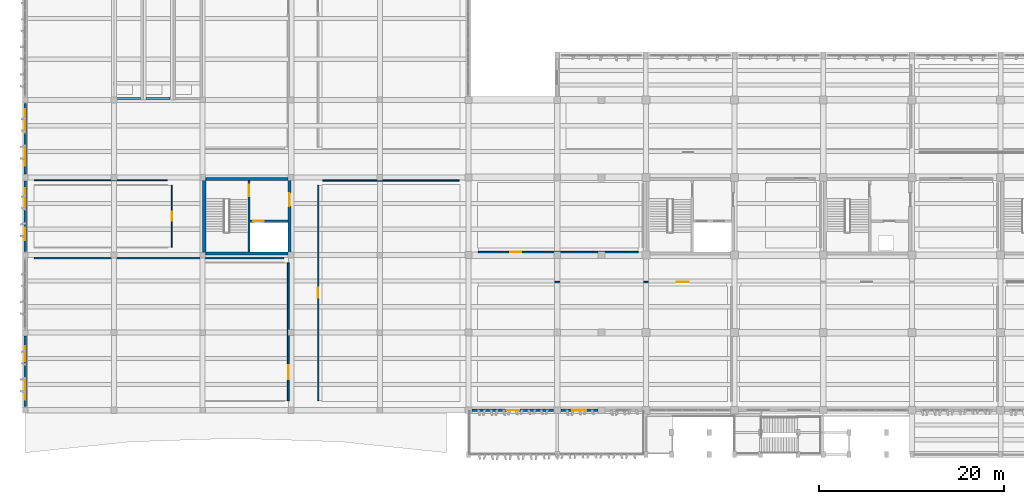
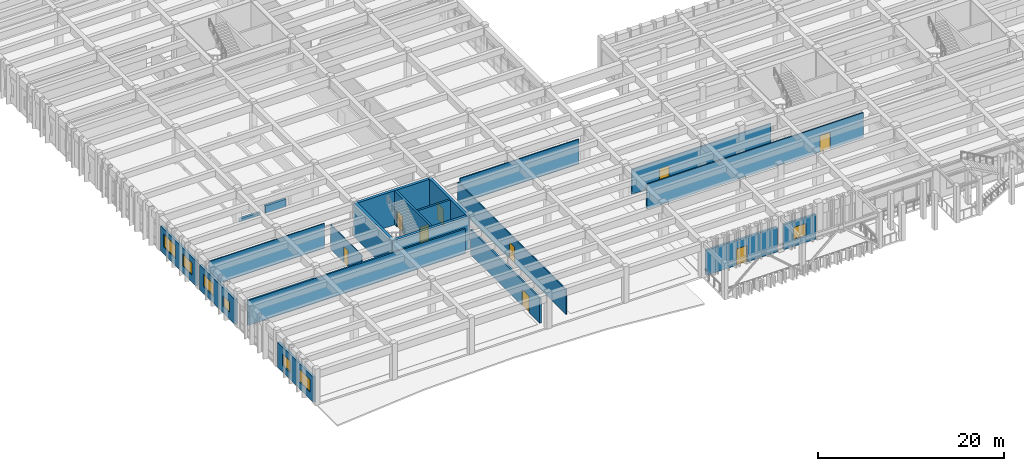
# One storey, part 64 of 86: 21 walls, 9 doors, 7 windows, 16 openings.
"""IFC4 building model written with IfcOpenShell, lengths in metres."""

from ifc_helpers import new_model, si_unit, direction, frame, frame_2d, origin, place, context, subcontext, project, spatial, rectangle, extrude, material, layer, layer_set, type_object, element, fill, save


model = new_model("IFC4")

# Units and contexts
model_context = context("Model", 3, precision=1e-05, world=origin(), true_north=direction((0.0, 1.0)))
body_context = subcontext(model_context, "Body", "Model", "MODEL_VIEW")
ifc_project = project(units=[si_unit("LENGTHUNIT", "METRE"), si_unit("AREAUNIT", "SQUARE_METRE"), si_unit("VOLUMEUNIT", "CUBIC_METRE"), si_unit("PLANEANGLEUNIT", "RADIAN"), si_unit("MASSUNIT", "GRAM", prefix="KILO")], contexts=[model_context])

# Site, building, storey
site_placement = place(None, origin())
site = spatial("IfcSite", under=ifc_project, at=site_placement, CompositionType="ELEMENT")
building_placement = place(site_placement, origin())
building = spatial("IfcBuilding", under=site, at=building_placement, Name="Kolvemor Railside Polytechnic", CompositionType="ELEMENT")
storey_placement = place(building_placement, frame((0.0, 0.0, 5.39990234375)))
storey = spatial("IfcBuildingStorey", under=building, at=storey_placement, Name="L01", CompositionType="ELEMENT", Elevation=5.39990234375)

# Walls
ifc_material_1 = material(Name="Concrete C40/50", Category="concrete")
ifc_layer_1 = layer(ifc_material_1, 0.35009765625, Name="WL-CORE-350")
ifc_layer_set_1 = layer_set([ifc_layer_1], Name="Concrete C40/50")
wall_type_1 = type_object("IfcWallType", Name="WL-CORE-350", PredefinedType="SHEAR", material=ifc_layer_set_1)
for number, where, z_axis, x_axis, name in (
    (1, (19.199951171875, 29.824951171875, 0.0), (0.0, 0.0, 1.0), (1.0, 0.0, 0.0), "CORE-4 North Core Wall L01"),
    (2, (19.199951171875, 21.77490234375, 0.0), (0.0, 0.0, 1.0), (1.0, 0.0, 0.0), "CORE-4 South Core Wall L01"),
):
    element("IfcWall", number, at=place(storey_placement, frame(where, z_axis=z_axis, x_axis=x_axis)), inside=storey, type_object=wall_type_1, Name=name, PredefinedType="SHEAR", context=body_context, shape_type="SweptSolid", body=[
        extrude(rectangle(XDim=9.60009765625, YDim=0.35009765625, at=frame_2d((4.800048828125, 0.0))), origin(), (0.0, 0.0, 1.0), 4.47998046875),
    ])
wall_1_placement = place(storey_placement, frame((19.375, 21.60009765625, 0.0), z_axis=(0.0, 0.0, 1.0), x_axis=(0.0, 1.0, 0.0)))
element("IfcWall", 3, at=wall_1_placement, inside=storey, type_object=wall_type_1, Name="CORE-4 West Core Wall L01", PredefinedType="SHEAR", context=body_context, shape_type="SweptSolid", body=[
    extrude(rectangle(XDim=8.39990234375, YDim=0.35009765625, at=frame_2d((4.199951171875, 0.0))), origin(), (0.0, 0.0, 1.0), 4.47998046875),
])

# Wall, opening, door
wall_2_placement = place(storey_placement, frame((28.625, 21.60009765625, 0.0), z_axis=(0.0, 0.0, 1.0), x_axis=(0.0, 1.0, 0.0)))
wall_2 = element("IfcWall", 4, at=wall_2_placement, inside=storey, type_object=wall_type_1, Name="CORE-4 East Core Wall L01", PredefinedType="SHEAR", context=body_context, shape_type="SweptSolid", body=[
    extrude(rectangle(XDim=8.39990234375, YDim=0.35009765625, at=frame_2d((4.199951171875, 0.0))), origin(), (0.0, 0.0, 1.0), 4.47998046875),
])
opening_1_placement = place(wall_2_placement, frame((5.300048828125, 0.0, 0.0)))
opening_1 = element("IfcOpeningElement", 5, at=opening_1_placement, cuts=wall_2, Name="Opening D-LOB-4-L01", PredefinedType="OPENING", context=body_context, shape_type="SweptSolid", body=[
    extrude(rectangle(XDim=1.39990234375, YDim=2.14990234375, at=frame_2d((0.699951171875, 1.074951171875))), frame((0.0, 0.18505859375, 0.0), z_axis=(0.0, -1.0, 0.0), x_axis=(1.0, 0.0, 0.0)), (0.0, 0.0, 1.0), 0.3701171875),
])
ifc_material_2 = material(Name="Fire-rated hardwood and brushed stainless-steel door", Category="steel")
door_type_1 = type_object("IfcDoorType", Name="DR-FD60-140x215", OperationType="NOTDEFINED", PredefinedType="DOOR", material=ifc_material_2)
door_1_placement = place(opening_1_placement, origin())
door_1 = element("IfcDoor", 6, at=door_1_placement, inside=storey, type_object=door_type_1, Name="Core Lobby Fire Door CORE-4 L01", OperationType="SINGLE_SWING_RIGHT", OverallHeight=2.14990234375, OverallWidth=1.39990234375, PredefinedType="DOOR", context=body_context, shape_type="SweptSolid", body=[
    extrude(rectangle(XDim=1.39990234375, YDim=2.14990234375, at=frame_2d((0.699951171875, 1.074951171875))), frame((0.0, 0.02490234375, 0.0), z_axis=(0.0, -1.0, 0.0), x_axis=(1.0, 0.0, 0.0)), (0.0, 0.0, 1.0), 0.050048828125),
])
fill(opening_1, door_1)

ifc_material_3 = material(Name="Precast concrete C40/50", Category="concrete")
ifc_layer_2 = layer(ifc_material_3, 0.27001953125, Name="WL-EXT-RC-270")
ifc_layer_set_2 = layer_set([ifc_layer_2], Name="Precast concrete C40/50")
wall_type_2 = type_object("IfcWallType", Name="WL-EXT-RC-270", PredefinedType="SOLIDWALL", material=ifc_layer_set_2)
wall_3_placement = place(storey_placement, frame((48.3798828125, 4.800048828125, 0.0), z_axis=(0.0, 0.0, 1.0), x_axis=(1.0, 0.0, 0.0)))
wall_3 = element("IfcWall", 7, at=wall_3_placement, inside=storey, type_object=wall_type_2, Name="Exterior Wall L01-0114", PredefinedType="SOLIDWALL", context=body_context, shape_type="SweptSolid", body=[
    extrude(rectangle(XDim=8.840087890625, YDim=0.27001953125, at=frame_2d((4.419921875, 0.0))), origin(), (0.0, 0.0, 1.0), 3.280029296875),
])
opening_2_placement = place(wall_3_placement, frame((3.7451171875, 0.0, 0.0)))
opening_2 = element("IfcOpeningElement", 8, at=opening_2_placement, cuts=wall_3, Name="Opening D-TER-L01SWP", PredefinedType="OPENING", context=body_context, shape_type="SweptSolid", body=[
    extrude(rectangle(XDim=1.35009765625, YDim=2.14990234375, at=frame_2d((0.675048828125, 1.074951171875))), frame((0.0, 0.14501953125, 0.0), z_axis=(0.0, -1.0, 0.0), x_axis=(1.0, 0.0, 0.0)), (0.0, 0.0, 1.0), 0.2900390625),
])
ifc_material_4 = material(Name="Marine-grade thermally broken aluminium and laminated glass door", Category="aluminium")
door_type_2 = type_object("IfcDoorType", Name="DR-TER-135x215", OperationType="NOTDEFINED", PredefinedType="DOOR", material=ifc_material_4)
door_2_placement = place(opening_2_placement, origin())
door_2 = element("IfcDoor", 9, at=door_2_placement, inside=storey, type_object=door_type_2, Name="Exterior Door D-TER-L01SWP", OperationType="SINGLE_SWING_LEFT", OverallHeight=2.14990234375, OverallWidth=1.35009765625, PredefinedType="DOOR", context=body_context, shape_type="SweptSolid", body=[
    extrude(rectangle(XDim=1.35009765625, YDim=2.14990234375, at=frame_2d((0.675048828125, 1.074951171875))), frame((0.0, 0.02490234375, 0.0), z_axis=(0.0, -1.0, 0.0), x_axis=(1.0, 0.0, 0.0)), (0.0, 0.0, 1.0), 0.050048828125),
])
fill(opening_2, door_2)

# Wall, opening, window
wall_4_placement = place(storey_placement, frame((57.97998046875, 4.800048828125, 0.0), z_axis=(0.0, 0.0, 1.0), x_axis=(1.0, 0.0, 0.0)))
wall_4 = element("IfcWall", 10, at=wall_4_placement, inside=storey, type_object=wall_type_2, Name="Exterior Wall L01-0115", PredefinedType="SOLIDWALL", context=body_context, shape_type="SweptSolid", body=[
    extrude(rectangle(XDim=4.0400390625, YDim=0.27001953125, at=frame_2d((2.02001953125, 0.0))), origin(), (0.0, 0.0, 1.0), 3.280029296875),
])
opening_3_placement = place(wall_4_placement, frame((1.27001953125, 0.0, 0.89990234375)))
opening_3 = element("IfcOpeningElement", 11, at=opening_3_placement, cuts=wall_4, Name="Opening WN-STU4", PredefinedType="OPENING", context=body_context, shape_type="SweptSolid", body=[
    extrude(rectangle(XDim=1.5, YDim=1.60009765625, at=frame_2d((0.75, 0.800048828125))), frame((0.0, 0.14501953125, 0.0), z_axis=(0.0, -1.0, 0.0), x_axis=(1.0, 0.0, 0.0)), (0.0, 0.0, 1.0), 0.2900390625),
])
ifc_material_5 = material(Name="Hurricane-laminated thermally broken aluminium window", Category="aluminium")
window_type_1 = type_object("IfcWindowType", Name="WN-STU-150x160", PartitioningType="SINGLE_PANEL", PredefinedType="WINDOW", material=ifc_material_5)
window_1_placement = place(opening_3_placement, origin())
window_1 = element("IfcWindow", 12, at=window_1_placement, inside=storey, type_object=window_type_1, Name="Window L01-0120", OverallHeight=1.60009765625, OverallWidth=1.5, PartitioningType="SINGLE_PANEL", PredefinedType="WINDOW", context=body_context, shape_type="SweptSolid", body=[
    extrude(rectangle(XDim=1.5, YDim=1.60009765625, at=frame_2d((0.75, 0.800048828125))), frame((0.0, 0.030029296875, 0.0), z_axis=(0.0, -1.0, 0.0), x_axis=(1.0, 0.0, 0.0)), (0.0, 0.0, 1.0), 0.06005859375),
])
fill(opening_3, window_1)

# Wall, openings, windows
ifc_material_6 = material(Name="Precast concrete C40/50", Category="concrete")
ifc_layer_3 = layer(ifc_material_6, 0.284912109375, Name="WL-EXT-RC-285")
ifc_layer_set_3 = layer_set([ifc_layer_3], Name="Precast concrete C40/50")
wall_type_3 = type_object("IfcWallType", Name="WL-EXT-RC-285", PredefinedType="SOLIDWALL", material=ifc_layer_set_3)
wall_5_placement = place(storey_placement, frame((0.0, 12.820068359375, 0.0), z_axis=(0.0, 0.0, 1.0), x_axis=(0.0, -1.0, 0.0)))
wall_5 = element("IfcWall", 13, at=wall_5_placement, inside=storey, type_object=wall_type_3, Name="Exterior Wall L01-0043", PredefinedType="SOLIDWALL", context=body_context, shape_type="SweptSolid", body=[
    extrude(rectangle(XDim=7.64013671875, YDim=0.284912109375, at=frame_2d((3.820068359375, 0.0))), origin(), (0.0, 0.0, 1.0), 3.280029296875),
])
opening_4_placement = place(wall_5_placement, frame((1.0849609375, 0.0, 0.89990234375)))
opening_4 = element("IfcOpeningElement", 14, at=opening_4_placement, cuts=wall_5, Name="Opening WN-M04", PredefinedType="OPENING", context=body_context, shape_type="SweptSolid", body=[
    extrude(rectangle(XDim=1.64990234375, YDim=1.5, at=frame_2d((0.824951171875, 0.75))), frame((0.0, 0.15234375, 0.0), z_axis=(0.0, -1.0, 0.0), x_axis=(1.0, 0.0, 0.0)), (0.0, 0.0, 1.0), 0.304931640625),
])
opening_5_placement = place(wall_5_placement, frame((4.554931640625, 0.0, 0.89990234375)))
opening_5 = element("IfcOpeningElement", 15, at=opening_5_placement, cuts=wall_5, Name="Opening WN-M11", PredefinedType="OPENING", context=body_context, shape_type="SweptSolid", body=[
    extrude(rectangle(XDim=2.35009765625, YDim=1.699951171875, at=frame_2d((1.175048828125, 0.85009765625))), frame((0.0, 0.15234375, 0.0), z_axis=(0.0, -1.0, 0.0), x_axis=(1.0, 0.0, 0.0)), (0.0, 0.0, 1.0), 0.304931640625),
])
ifc_material_7 = material(Name="Hurricane-laminated thermally broken aluminium window", Category="aluminium")
window_type_2 = type_object("IfcWindowType", Name="WN-MOD-165x150", PartitioningType="SINGLE_PANEL", PredefinedType="WINDOW", material=ifc_material_7)
window_2_placement = place(opening_4_placement, origin())
window_2 = element("IfcWindow", 16, at=window_2_placement, inside=storey, type_object=window_type_2, Name="Window L01-0039", OverallHeight=1.5, OverallWidth=1.64990234375, PartitioningType="SINGLE_PANEL", PredefinedType="WINDOW", context=body_context, shape_type="SweptSolid", body=[
    extrude(rectangle(XDim=1.64990234375, YDim=1.5, at=frame_2d((0.824951171875, 0.75))), frame((0.0, 0.030029296875, 0.0), z_axis=(0.0, -1.0, 0.0), x_axis=(1.0, 0.0, 0.0)), (0.0, 0.0, 1.0), 0.06005859375),
])
fill(opening_4, window_2)
ifc_material_8 = material(Name="Hurricane-laminated thermally broken aluminium window", Category="aluminium")
window_type_3 = type_object("IfcWindowType", Name="WN-MOD-235x170", PartitioningType="DOUBLE_PANEL_VERTICAL", PredefinedType="WINDOW", material=ifc_material_8)
window_3_placement = place(opening_5_placement, origin())
window_3 = element("IfcWindow", 17, at=window_3_placement, inside=storey, type_object=window_type_3, Name="Window L01-0040", OverallHeight=1.699951171875, OverallWidth=2.35009765625, PartitioningType="SINGLE_PANEL", PredefinedType="WINDOW", context=body_context, shape_type="SweptSolid", body=[
    extrude(rectangle(XDim=2.35009765625, YDim=1.699951171875, at=frame_2d((1.175048828125, 0.85009765625))), frame((0.0, 0.030029296875, 0.0), z_axis=(0.0, -1.0, 0.0), x_axis=(1.0, 0.0, 0.0)), (0.0, 0.0, 1.0), 0.06005859375),
])
fill(opening_5, window_3)

wall_6_placement = place(storey_placement, frame((0.0, 29.6201171875, 0.0), z_axis=(0.0, 0.0, 1.0), x_axis=(0.0, -1.0, 0.0)))
wall_6 = element("IfcWall", 18, at=wall_6_placement, inside=storey, type_object=wall_type_3, Name="Exterior Wall L01-0052", PredefinedType="SOLIDWALL", context=body_context, shape_type="SweptSolid", body=[
    extrude(rectangle(XDim=7.64013671875, YDim=0.284912109375, at=frame_2d((3.820068359375, 0.0))), origin(), (0.0, 0.0, 1.0), 3.280029296875),
])
opening_6_placement = place(wall_6_placement, frame((0.784912109375, 0.0, 0.89990234375)))
opening_6 = element("IfcOpeningElement", 19, at=opening_6_placement, cuts=wall_6, Name="Opening WN-M10", PredefinedType="OPENING", context=body_context, shape_type="SweptSolid", body=[
    extrude(rectangle(XDim=2.25, YDim=1.64990234375, at=frame_2d((1.125, 0.824951171875))), frame((0.0, 0.15234375, 0.0), z_axis=(0.0, -1.0, 0.0), x_axis=(1.0, 0.0, 0.0)), (0.0, 0.0, 1.0), 0.304931640625),
])
opening_7_placement = place(wall_6_placement, frame((5.054931640625, 0.0, 0.89990234375)))
opening_7 = element("IfcOpeningElement", 20, at=opening_7_placement, cuts=wall_6, Name="Opening WN-M17", PredefinedType="OPENING", context=body_context, shape_type="SweptSolid", body=[
    extrude(rectangle(XDim=1.35009765625, YDim=1.35009765625, at=frame_2d((0.675048828125, 0.675048828125))), frame((0.0, 0.15234375, 0.0), z_axis=(0.0, -1.0, 0.0), x_axis=(1.0, 0.0, 0.0)), (0.0, 0.0, 1.0), 0.304931640625),
])
ifc_material_9 = material(Name="Hurricane-laminated thermally broken aluminium window", Category="aluminium")
window_type_4 = type_object("IfcWindowType", Name="WN-MOD-135x135", PartitioningType="SINGLE_PANEL", PredefinedType="WINDOW", material=ifc_material_9)
window_4_placement = place(opening_7_placement, origin())
window_4 = element("IfcWindow", 21, at=window_4_placement, inside=storey, type_object=window_type_4, Name="Window L01-0048", OverallHeight=1.35009765625, OverallWidth=1.35009765625, PartitioningType="SINGLE_PANEL", PredefinedType="WINDOW", context=body_context, shape_type="SweptSolid", body=[
    extrude(rectangle(XDim=1.35009765625, YDim=1.35009765625, at=frame_2d((0.675048828125, 0.675048828125))), frame((0.0, 0.030029296875, 0.0), z_axis=(0.0, -1.0, 0.0), x_axis=(1.0, 0.0, 0.0)), (0.0, 0.0, 1.0), 0.06005859375),
])
fill(opening_7, window_4)
ifc_material_10 = material(Name="Hurricane-laminated thermally broken aluminium window", Category="aluminium")
window_type_5 = type_object("IfcWindowType", Name="WN-MOD-225x165", PartitioningType="DOUBLE_PANEL_VERTICAL", PredefinedType="WINDOW", material=ifc_material_10)
window_5_placement = place(opening_6_placement, origin())
window_5 = element("IfcWindow", 22, at=window_5_placement, inside=storey, type_object=window_type_5, Name="Window L01-0047", OverallHeight=1.64990234375, OverallWidth=2.25, PartitioningType="SINGLE_PANEL", PredefinedType="WINDOW", context=body_context, shape_type="SweptSolid", body=[
    extrude(rectangle(XDim=2.25, YDim=1.64990234375, at=frame_2d((1.125, 0.824951171875))), frame((0.0, 0.030029296875, 0.0), z_axis=(0.0, -1.0, 0.0), x_axis=(1.0, 0.0, 0.0)), (0.0, 0.0, 1.0), 0.06005859375),
])
fill(opening_6, window_5)

wall_7_placement = place(storey_placement, frame((0.0, 38.02001953125, 0.0), z_axis=(0.0, 0.0, 1.0), x_axis=(0.0, -1.0, 0.0)))
wall_7 = element("IfcWall", 23, at=wall_7_placement, inside=storey, type_object=wall_type_3, Name="Exterior Wall L01-0059", PredefinedType="SOLIDWALL", context=body_context, shape_type="SweptSolid", body=[
    extrude(rectangle(XDim=7.64013671875, YDim=0.284912109375, at=frame_2d((3.820068359375, 0.0))), origin(), (0.0, 0.0, 1.0), 3.280029296875),
])
opening_8_placement = place(wall_7_placement, frame((0.635009765625, 0.0, 0.89990234375)))
opening_8 = element("IfcOpeningElement", 24, at=opening_8_placement, cuts=wall_7, Name="Opening WN-M13", PredefinedType="OPENING", context=body_context, shape_type="SweptSolid", body=[
    extrude(rectangle(XDim=2.550048828125, YDim=1.75, at=frame_2d((1.27490234375, 0.875))), frame((0.0, 0.15234375, 0.0), z_axis=(0.0, -1.0, 0.0), x_axis=(1.0, 0.0, 0.0)), (0.0, 0.0, 1.0), 0.304931640625),
])
opening_9_placement = place(wall_7_placement, frame((4.72998046875, 0.0, 0.89990234375)))
opening_9 = element("IfcOpeningElement", 25, at=opening_9_placement, cuts=wall_7, Name="Opening WN-M20", PredefinedType="OPENING", context=body_context, shape_type="SweptSolid", body=[
    extrude(rectangle(XDim=2.0, YDim=1.550048828125, at=frame_2d((1.0, 0.77490234375))), frame((0.0, 0.15234375, 0.0), z_axis=(0.0, -1.0, 0.0), x_axis=(1.0, 0.0, 0.0)), (0.0, 0.0, 1.0), 0.304931640625),
])
ifc_material_11 = material(Name="Hurricane-laminated thermally broken aluminium window", Category="aluminium")
window_type_6 = type_object("IfcWindowType", Name="WN-MOD-200x155", PartitioningType="DOUBLE_PANEL_VERTICAL", PredefinedType="WINDOW", material=ifc_material_11)
window_6_placement = place(opening_9_placement, origin())
window_6 = element("IfcWindow", 26, at=window_6_placement, inside=storey, type_object=window_type_6, Name="Window L01-0057", OverallHeight=1.550048828125, OverallWidth=2.0, PartitioningType="SINGLE_PANEL", PredefinedType="WINDOW", context=body_context, shape_type="SweptSolid", body=[
    extrude(rectangle(XDim=2.0, YDim=1.550048828125, at=frame_2d((1.0, 0.77490234375))), frame((0.0, 0.030029296875, 0.0), z_axis=(0.0, -1.0, 0.0), x_axis=(1.0, 0.0, 0.0)), (0.0, 0.0, 1.0), 0.06005859375),
])
fill(opening_9, window_6)
ifc_material_12 = material(Name="Hurricane-laminated thermally broken aluminium window", Category="aluminium")
window_type_7 = type_object("IfcWindowType", Name="WN-MOD-255x175", PartitioningType="DOUBLE_PANEL_VERTICAL", PredefinedType="WINDOW", material=ifc_material_12)
window_7_placement = place(opening_8_placement, origin())
window_7 = element("IfcWindow", 27, at=window_7_placement, inside=storey, type_object=window_type_7, Name="Window L01-0056", OverallHeight=1.75, OverallWidth=2.550048828125, PartitioningType="SINGLE_PANEL", PredefinedType="WINDOW", context=body_context, shape_type="SweptSolid", body=[
    extrude(rectangle(XDim=2.550048828125, YDim=1.75, at=frame_2d((1.27490234375, 0.875))), frame((0.0, 0.030029296875, 0.0), z_axis=(0.0, -1.0, 0.0), x_axis=(1.0, 0.0, 0.0)), (0.0, 0.0, 1.0), 0.06005859375),
])
fill(opening_8, window_7)

# Wall, opening, door
ifc_material_13 = material(Name="Wet-area tile-backer partition")
ifc_layer_4 = layer(ifc_material_13, 0.1201171875, Name="WL-PART-120")
ifc_layer_set_4 = layer_set([ifc_layer_4], Name="Wet-area tile-backer partition")
wall_type_4 = type_object("IfcWallType", Name="WL-PART-120", PredefinedType="PARTITIONING", material=ifc_layer_set_4)
wall_8_placement = place(storey_placement, frame((15.8798828125, 22.449951171875, 0.0), z_axis=(0.0, 0.0, 1.0), x_axis=(0.0, 1.0, 0.0)))
wall_8 = element("IfcWall", 28, at=wall_8_placement, inside=storey, type_object=wall_type_4, Name="Partition Wall L01-0098", PredefinedType="PARTITIONING", context=body_context, shape_type="SweptSolid", body=[
    extrude(rectangle(XDim=6.699951171875, YDim=0.1201171875, at=frame_2d((3.35009765625, 0.0))), origin(), (0.0, 0.0, 1.0), 3.260009765625),
])
opening_10_placement = place(wall_8_placement, frame((2.875, 0.0, 0.0)))
opening_10 = element("IfcOpeningElement", 29, at=opening_10_placement, cuts=wall_8, Name="Opening D-01056", PredefinedType="OPENING", context=body_context, shape_type="SweptSolid", body=[
    extrude(rectangle(XDim=0.949951171875, YDim=2.10009765625, at=frame_2d((0.47509765625, 1.050048828125))), frame((0.0, 0.070068359375, 0.0), z_axis=(0.0, -1.0, 0.0), x_axis=(1.0, 0.0, 0.0)), (0.0, 0.0, 1.0), 0.14013671875),
])
ifc_material_14 = material(Name="Solid hardwood acoustic door", Category="wood")
door_type_3 = type_object("IfcDoorType", Name="DR-WC-095x210", OperationType="NOTDEFINED", PredefinedType="DOOR", material=ifc_material_14)
door_3_placement = place(opening_10_placement, origin())
door_3 = element("IfcDoor", 30, at=door_3_placement, inside=storey, type_object=door_type_3, Name="Room Door D-01056 (West Wing Public and Accessible WC L01)", OperationType="SINGLE_SWING_LEFT", OverallHeight=2.10009765625, OverallWidth=0.949951171875, PredefinedType="DOOR", context=body_context, shape_type="SweptSolid", body=[
    extrude(rectangle(XDim=0.949951171875, YDim=2.10009765625, at=frame_2d((0.47509765625, 1.050048828125))), frame((0.0, 0.02490234375, 0.0), z_axis=(0.0, -1.0, 0.0), x_axis=(1.0, 0.0, 0.0)), (0.0, 0.0, 1.0), 0.050048828125),
])
fill(opening_10, door_3)

# Wall
wall_9_placement = place(storey_placement, frame((1.0, 29.679931640625, 0.0), z_axis=(0.0, 0.0, 1.0), x_axis=(1.0, 0.0, 0.0)))
element("IfcWall", 31, at=wall_9_placement, inside=storey, type_object=wall_type_4, Name="Demising Partition L01-0099", PredefinedType="PARTITIONING", context=body_context, shape_type="SweptSolid", body=[
    extrude(rectangle(XDim=14.39990234375, YDim=0.1201171875, at=frame_2d((7.199951171875, 0.0))), origin(), (0.0, 0.0, 1.0), 3.260009765625),
])

# Wall, opening, door
ifc_material_15 = material(Name="Seminar acoustic partition")
ifc_layer_5 = layer(ifc_material_15, 0.139892578125, Name="WL-PART-140")
ifc_layer_set_5 = layer_set([ifc_layer_5], Name="Seminar acoustic partition")
wall_type_5 = type_object("IfcWallType", Name="WL-PART-140", PredefinedType="PARTITIONING", material=ifc_layer_set_5)
wall_10_placement = place(storey_placement, frame((31.719970703125, 5.85009765625, 0.0), z_axis=(0.0, 0.0, 1.0), x_axis=(0.0, 1.0, 0.0)))
wall_10 = element("IfcWall", 32, at=wall_10_placement, inside=storey, type_object=wall_type_5, Name="Partition Wall L01-0092", PredefinedType="PARTITIONING", context=body_context, shape_type="SweptSolid", body=[
    extrude(rectangle(XDim=23.2998046875, YDim=0.139892578125, at=frame_2d((11.64990234375, 0.0))), origin(), (0.0, 0.0, 1.0), 3.260009765625),
])
opening_11_placement = place(wall_10_placement, frame((11.110107421875, 0.0, 0.0)))
opening_11 = element("IfcOpeningElement", 33, at=opening_11_placement, cuts=wall_10, Name="Opening D-01053", PredefinedType="OPENING", context=body_context, shape_type="SweptSolid", body=[
    extrude(rectangle(XDim=1.080078125, YDim=2.14990234375, at=frame_2d((0.5400390625, 1.074951171875))), frame((0.0, 0.079833984375, 0.0), z_axis=(0.0, -1.0, 0.0), x_axis=(1.0, 0.0, 0.0)), (0.0, 0.0, 1.0), 0.159912109375),
])
ifc_material_16 = material(Name="Solid hardwood acoustic door", Category="wood")
door_type_4 = type_object("IfcDoorType", Name="DR-SEM-108x215", OperationType="NOTDEFINED", PredefinedType="DOOR", material=ifc_material_16)
door_4_placement = place(opening_11_placement, origin())
door_4 = element("IfcDoor", 34, at=door_4_placement, inside=storey, type_object=door_type_4, Name="Room Door D-01053 (Seminar Room 102)", OperationType="SINGLE_SWING_RIGHT", OverallHeight=2.14990234375, OverallWidth=1.080078125, PredefinedType="DOOR", context=body_context, shape_type="SweptSolid", body=[
    extrude(rectangle(XDim=1.080078125, YDim=2.14990234375, at=frame_2d((0.5400390625, 1.074951171875))), frame((0.0, 0.02490234375, 0.0), z_axis=(0.0, -1.0, 0.0), x_axis=(1.0, 0.0, 0.0)), (0.0, 0.0, 1.0), 0.050048828125),
])
fill(opening_11, door_4)

# Wall
wall_11_placement = place(storey_placement, frame((32.199951171875, 29.679931640625, 0.0), z_axis=(0.0, 0.0, 1.0), x_axis=(1.0, 0.0, 0.0)))
element("IfcWall", 35, at=wall_11_placement, inside=storey, type_object=wall_type_5, Name="Demising Partition L01-0093", PredefinedType="PARTITIONING", context=body_context, shape_type="SweptSolid", body=[
    extrude(rectangle(XDim=14.800048828125, YDim=0.139892578125, at=frame_2d((7.39990234375, 0.0))), origin(), (0.0, 0.0, 1.0), 3.260009765625),
])

# Wall, opening, door
ifc_material_17 = material(Name="Acoustic studio partition")
ifc_layer_6 = layer(ifc_material_17, 0.14990234375, Name="WL-PART-150")
ifc_layer_set_6 = layer_set([ifc_layer_6], Name="Acoustic studio partition")
wall_type_6 = type_object("IfcWallType", Name="WL-PART-150", PredefinedType="PARTITIONING", material=ifc_layer_set_6)
wall_12_placement = place(storey_placement, frame((49.050048828125, 21.919921875, 0.0), z_axis=(0.0, 0.0, 1.0), x_axis=(1.0, 0.0, 0.0)))
wall_12 = element("IfcWall", 36, at=wall_12_placement, inside=storey, type_object=wall_type_6, Name="Partition Wall L01-0107", PredefinedType="PARTITIONING", context=body_context, shape_type="SweptSolid", body=[
    extrude(rectangle(XDim=17.300048828125, YDim=0.14990234375, at=frame_2d((8.64990234375, 0.0))), origin(), (0.0, 0.0, 1.0), 3.260009765625),
])
opening_12_placement = place(wall_12_placement, frame((3.464111328125, 0.0, 0.0)))
opening_12 = element("IfcOpeningElement", 37, at=opening_12_placement, cuts=wall_12, Name="Opening D-01061", PredefinedType="OPENING", context=body_context, shape_type="SweptSolid", body=[
    extrude(rectangle(XDim=1.179931640625, YDim=2.14990234375, at=frame_2d((0.58984375, 1.074951171875))), frame((0.0, 0.0849609375, 0.0), z_axis=(0.0, -1.0, 0.0), x_axis=(1.0, 0.0, 0.0)), (0.0, 0.0, 1.0), 0.169921875),
])
ifc_material_18 = material(Name="Solid hardwood acoustic door", Category="wood")
door_type_5 = type_object("IfcDoorType", Name="DR-STU-118x215", OperationType="NOTDEFINED", PredefinedType="DOOR", material=ifc_material_18)
door_5_placement = place(opening_12_placement, origin())
door_5 = element("IfcDoor", 38, at=door_5_placement, inside=storey, type_object=door_type_5, Name="Room Door D-01061 (Naval Architecture Design Studio)", OperationType="SINGLE_SWING_RIGHT", OverallHeight=2.14990234375, OverallWidth=1.179931640625, PredefinedType="DOOR", context=body_context, shape_type="SweptSolid", body=[
    extrude(rectangle(XDim=1.179931640625, YDim=2.14990234375, at=frame_2d((0.58984375, 1.074951171875))), frame((0.0, 0.02490234375, 0.0), z_axis=(0.0, -1.0, 0.0), x_axis=(1.0, 0.0, 0.0)), (0.0, 0.0, 1.0), 0.050048828125),
])
fill(opening_12, door_5)

ifc_material_19 = material(Name="Fire-rated laboratory corridor partition")
ifc_layer_7 = layer(ifc_material_19, 0.1650390625, Name="WL-PART-165")
ifc_layer_set_7 = layer_set([ifc_layer_7], Name="Fire-rated laboratory corridor partition")
wall_type_7 = type_object("IfcWallType", Name="WL-PART-165", PredefinedType="PARTITIONING", material=ifc_layer_set_7)
wall_13_placement = place(storey_placement, frame((49.050048828125, 18.679931640625, 0.0), z_axis=(0.0, 0.0, 1.0), x_axis=(1.0, 0.0, 0.0)))
wall_13 = element("IfcWall", 39, at=wall_13_placement, inside=storey, type_object=wall_type_7, Name="Partition Wall L01-0102", PredefinedType="PARTITIONING", context=body_context, shape_type="SweptSolid", body=[
    extrude(rectangle(XDim=26.89990234375, YDim=0.1650390625, at=frame_2d((13.449951171875, 0.0))), origin(), (0.0, 0.0, 1.0), 3.260009765625),
])
opening_13_placement = place(wall_13_placement, frame((21.47998046875, 0.0, 0.0)))
opening_13 = element("IfcOpeningElement", 40, at=opening_13_placement, cuts=wall_13, Name="Opening D-01058", PredefinedType="OPENING", context=body_context, shape_type="SweptSolid", body=[
    extrude(rectangle(XDim=1.300048828125, YDim=2.14990234375, at=frame_2d((0.64990234375, 1.074951171875))), frame((0.0, 0.092529296875, 0.0), z_axis=(0.0, -1.0, 0.0), x_axis=(1.0, 0.0, 0.0)), (0.0, 0.0, 1.0), 0.18505859375),
])
ifc_material_20 = material(Name="Fire-rated hardwood and brushed stainless-steel door", Category="steel")
door_type_6 = type_object("IfcDoorType", Name="DR-LAB-130x215", OperationType="NOTDEFINED", PredefinedType="DOOR", material=ifc_material_20)
door_6_placement = place(opening_13_placement, origin())
door_6 = element("IfcDoor", 41, at=door_6_placement, inside=storey, type_object=door_type_6, Name="Room Door D-01058 (Analytical Chemistry Wet Laboratory)", OperationType="SINGLE_SWING_LEFT", OverallHeight=2.14990234375, OverallWidth=1.300048828125, PredefinedType="DOOR", context=body_context, shape_type="SweptSolid", body=[
    extrude(rectangle(XDim=1.300048828125, YDim=2.14990234375, at=frame_2d((0.64990234375, 1.074951171875))), frame((0.0, 0.02490234375, 0.0), z_axis=(0.0, -1.0, 0.0), x_axis=(1.0, 0.0, 0.0)), (0.0, 0.0, 1.0), 0.050048828125),
])
fill(opening_13, door_6)

ifc_material_21 = material(Name="Acoustic concrete blockwork and gypsum", Category="masonry")
ifc_layer_8 = layer(ifc_material_21, 0.199951171875, Name="WL-PART-200")
ifc_layer_set_8 = layer_set([ifc_layer_8], Name="Acoustic concrete blockwork and gypsum")
wall_type_8 = type_object("IfcWallType", Name="WL-PART-200", PredefinedType="PARTITIONING", material=ifc_layer_set_8)
wall_14_placement = place(storey_placement, frame((28.47998046875, 5.85009765625, 0.0), z_axis=(0.0, 0.0, 1.0), x_axis=(0.0, 1.0, 0.0)))
wall_14 = element("IfcWall", 42, at=wall_14_placement, inside=storey, type_object=wall_type_8, Name="Partition Wall L01-0086", PredefinedType="PARTITIONING", context=body_context, shape_type="SweptSolid", body=[
    extrude(rectangle(XDim=14.89990234375, YDim=0.199951171875, at=frame_2d((7.449951171875, 0.0))), origin(), (0.0, 0.0, 1.0), 3.260009765625),
])
opening_14_placement = place(wall_14_placement, frame((2.281982421875, 0.0, 0.0)))
opening_14 = element("IfcOpeningElement", 43, at=opening_14_placement, cuts=wall_14, Name="Opening D-01050", PredefinedType="OPENING", context=body_context, shape_type="SweptSolid", body=[
    extrude(rectangle(XDim=1.550048828125, YDim=2.14990234375, at=frame_2d((0.77490234375, 1.074951171875))), frame((0.0, 0.10986328125, 0.0), z_axis=(0.0, -1.0, 0.0), x_axis=(1.0, 0.0, 0.0)), (0.0, 0.0, 1.0), 0.219970703125),
])
ifc_material_22 = material(Name="Fire-rated hardwood and brushed stainless-steel door", Category="steel")
door_type_7 = type_object("IfcDoorType", Name="DR-LT-155x215", OperationType="NOTDEFINED", PredefinedType="DOOR", material=ifc_material_22)
door_7_placement = place(opening_14_placement, origin())
door_7 = element("IfcDoor", 44, at=door_7_placement, inside=storey, type_object=door_type_7, Name="Room Door D-01050 (Lecture Theatre LT-4)", OperationType="SINGLE_SWING_LEFT", OverallHeight=2.14990234375, OverallWidth=1.550048828125, PredefinedType="DOOR", context=body_context, shape_type="SweptSolid", body=[
    extrude(rectangle(XDim=1.550048828125, YDim=2.14990234375, at=frame_2d((0.77490234375, 1.074951171875))), frame((0.0, 0.02490234375, 0.0), z_axis=(0.0, -1.0, 0.0), x_axis=(1.0, 0.0, 0.0)), (0.0, 0.0, 1.0), 0.050048828125),
])
fill(opening_14, door_7)

# Wall
wall_15_placement = place(storey_placement, frame((1.0, 21.280029296875, 0.0), z_axis=(0.0, 0.0, 1.0), x_axis=(1.0, 0.0, 0.0)))
element("IfcWall", 45, at=wall_15_placement, inside=storey, type_object=wall_type_8, Name="Demising Partition L01-0087", PredefinedType="PARTITIONING", context=body_context, shape_type="SweptSolid", body=[
    extrude(rectangle(XDim=27.0, YDim=0.199951171875, at=frame_2d((13.5, 0.0))), origin(), (0.0, 0.0, 1.0), 3.260009765625),
])

# Wall, opening, door
ifc_material_23 = material(Name="Concrete C40/50", Category="concrete")
ifc_layer_9 = layer(ifc_material_23, 0.25, Name="WL-SHFT-250")
ifc_layer_set_9 = layer_set([ifc_layer_9], Name="Concrete C40/50")
wall_type_9 = type_object("IfcWallType", Name="WL-SHFT-250", PredefinedType="SHEAR", material=ifc_layer_set_9)
wall_16_placement = place(storey_placement, frame((24.22509765625, 29.64990234375, 0.0), z_axis=(0.0, 0.0, 1.0), x_axis=(0.0, -1.0, 0.0)))
wall_16 = element("IfcWall", 46, at=wall_16_placement, inside=storey, type_object=wall_type_9, Name="CORE-4 Stair-Lobby Divider Wall L01", PredefinedType="SHEAR", context=body_context, shape_type="SweptSolid", body=[
    extrude(rectangle(XDim=7.699951171875, YDim=0.25, at=frame_2d((3.85009765625, 0.0))), origin(), (0.0, 0.0, 1.0), 4.47998046875),
])
opening_15_placement = place(wall_16_placement, frame((0.449951171875, 0.0, 0.0)))
opening_15 = element("IfcOpeningElement", 47, at=opening_15_placement, cuts=wall_16, Name="Opening D-ST-4-L01", PredefinedType="OPENING", context=body_context, shape_type="SweptSolid", body=[
    extrude(rectangle(XDim=1.25, YDim=2.14990234375, at=frame_2d((0.625, 1.074951171875))), frame((0.0, 0.135009765625, 0.0), z_axis=(0.0, -1.0, 0.0), x_axis=(1.0, 0.0, 0.0)), (0.0, 0.0, 1.0), 0.27001953125),
])
ifc_material_24 = material(Name="Fire-rated hardwood and brushed stainless-steel door", Category="steel")
door_type_8 = type_object("IfcDoorType", Name="DR-FD90-125x215", OperationType="NOTDEFINED", PredefinedType="DOOR", material=ifc_material_24)
door_8_placement = place(opening_15_placement, origin())
door_8 = element("IfcDoor", 48, at=door_8_placement, inside=storey, type_object=door_type_8, Name="Stair Fire Door ST-4 L01", OperationType="SINGLE_SWING_LEFT", OverallHeight=2.14990234375, OverallWidth=1.25, PredefinedType="DOOR", context=body_context, shape_type="SweptSolid", body=[
    extrude(rectangle(XDim=1.25, YDim=2.14990234375, at=frame_2d((0.625, 1.074951171875))), frame((0.0, 0.02490234375, 0.0), z_axis=(0.0, -1.0, 0.0), x_axis=(1.0, 0.0, 0.0)), (0.0, 0.0, 1.0), 0.050048828125),
])
fill(opening_15, door_8)

wall_17_placement = place(storey_placement, frame((24.35009765625, 25.27490234375, 0.0), z_axis=(0.0, 0.0, 1.0), x_axis=(1.0, 0.0, 0.0)))
wall_17 = element("IfcWall", 49, at=wall_17_placement, inside=storey, type_object=wall_type_9, Name="CORE-4 Lift Shaft Front Wall L01", PredefinedType="SHEAR", context=body_context, shape_type="SweptSolid", body=[
    extrude(rectangle(XDim=4.099853515625, YDim=0.25, at=frame_2d((2.0498046875, 0.0))), origin(), (0.0, 0.0, 1.0), 4.47998046875),
])
opening_16_placement = place(wall_17_placement, frame((0.35009765625, 0.0, 0.0)))
opening_16 = element("IfcOpeningElement", 50, at=opening_16_placement, cuts=wall_17, Name="Opening LD-PL-3-L01", PredefinedType="OPENING", context=body_context, shape_type="SweptSolid", body=[
    extrude(rectangle(XDim=1.10009765625, YDim=2.14990234375, at=frame_2d((0.550048828125, 1.074951171875))), frame((0.0, 0.135009765625, 0.0), z_axis=(0.0, -1.0, 0.0), x_axis=(1.0, 0.0, 0.0)), (0.0, 0.0, 1.0), 0.27001953125),
])
ifc_material_25 = material(Name="Fire-rated hardwood and brushed stainless-steel door", Category="steel")
door_type_9 = type_object("IfcDoorType", Name="DR-LIFT-110x215", OperationType="SLIDING_TO_LEFT", PredefinedType="DOOR", material=ifc_material_25)
door_9_placement = place(opening_16_placement, origin())
door_9 = element("IfcDoor", 51, at=door_9_placement, inside=storey, type_object=door_type_9, Name="Lift Landing Sliding Door PL-3 L01", OperationType="SLIDING_TO_LEFT", OverallHeight=2.14990234375, OverallWidth=1.10009765625, PredefinedType="DOOR", context=body_context, shape_type="SweptSolid", body=[
    extrude(rectangle(XDim=1.10009765625, YDim=2.14990234375, at=frame_2d((0.550048828125, 1.074951171875))), frame((0.0, 0.02490234375, 0.0), z_axis=(0.0, -1.0, 0.0), x_axis=(1.0, 0.0, 0.0)), (0.0, 0.0, 1.0), 0.050048828125),
])
fill(opening_16, door_9)

# Walls
ifc_material_26 = material(Name="Concrete C40/50", Category="concrete")
ifc_layer_10 = layer(ifc_material_26, 0.25, Name="WL-TIER-RC")
ifc_layer_set_10 = layer_set([ifc_layer_10], Name="Concrete C40/50")
wall_type_10 = type_object("IfcWallType", Name="WL-TIER-RC", PredefinedType="SHEAR", material=ifc_layer_set_10)
wall_18_placement = place(storey_placement, frame((9.89990234375, 38.550048828125, 0.0), z_axis=(0.0, 0.0, 1.0), x_axis=(1.0, 0.0, 0.0)))
element("IfcWall", 52, at=wall_18_placement, inside=storey, type_object=wall_type_10, Name="Lecture Tier Flank Wall LT4-S1", PredefinedType="SHEAR", context=body_context, shape_type="SweptSolid", body=[
    extrude(rectangle(XDim=2.60009765625, YDim=0.25, at=frame_2d((1.300048828125, 0.0))), origin(), (0.0, 0.0, 1.0), 0.400146484375),
])
wall_19_placement = place(storey_placement, frame((13.10009765625, 38.550048828125, 0.0), z_axis=(0.0, 0.0, 1.0), x_axis=(1.0, 0.0, 0.0)))
element("IfcWall", 53, at=wall_19_placement, inside=storey, type_object=wall_type_10, Name="Lecture Tier Flank Wall LT4-S2", PredefinedType="SHEAR", context=body_context, shape_type="SweptSolid", body=[
    extrude(rectangle(XDim=2.599853515625, YDim=0.25, at=frame_2d((1.2998046875, 0.0))), origin(), (0.0, 0.0, 1.0), 1.0),
])

save(model, "model.ifc")
